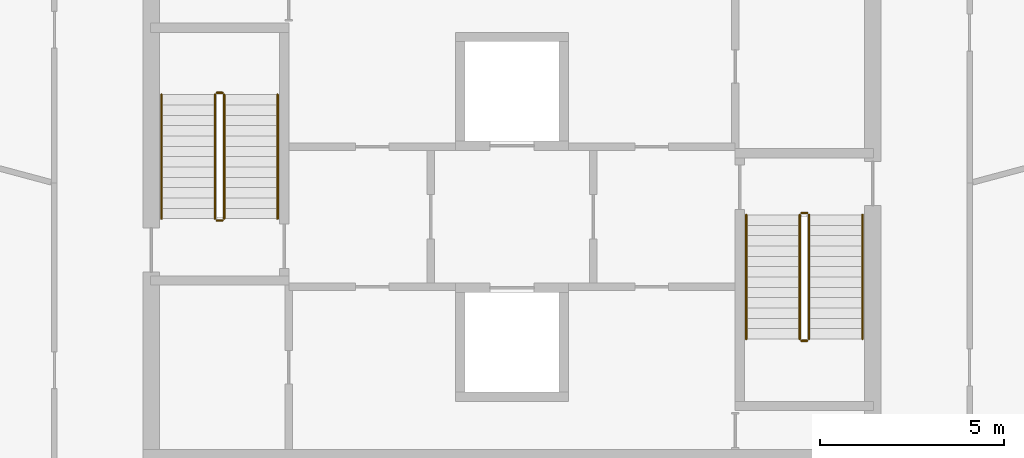
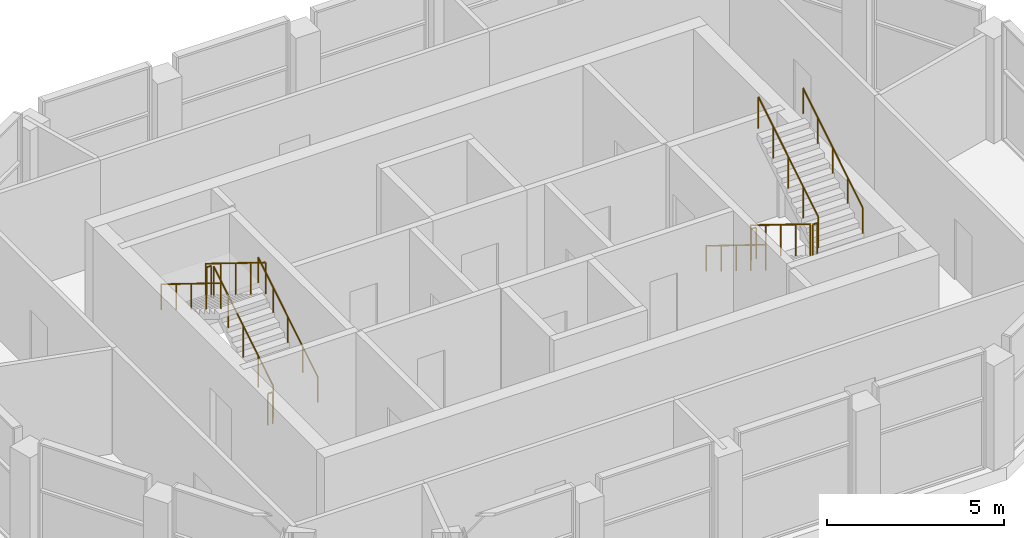
# One storey, part 6 of 6: 12 railings.
"""IFC4 building model written with IfcOpenShell, lengths in metres."""

from ifc_helpers import new_model, si_unit, direction, frame, origin, origin_2d, place, context, subcontext, project, spatial, circle, extrude, material, type_object, element, save


model = new_model("IFC4")

# Units and contexts
model_context = context("Model", 3, precision=1e-05, world=origin(), true_north=direction((0.0, 1.0)))
body_context = subcontext(model_context, "Body", "Model", "MODEL_VIEW")
ifc_project = project(units=[si_unit("LENGTHUNIT", "METRE"), si_unit("AREAUNIT", "SQUARE_METRE"), si_unit("VOLUMEUNIT", "CUBIC_METRE"), si_unit("PLANEANGLEUNIT", "RADIAN"), si_unit("MASSUNIT", "GRAM", prefix="KILO")], contexts=[model_context])

# Site, building, storey
site_placement = place(None, origin())
site = spatial("IfcSite", under=ifc_project, at=site_placement, CompositionType="ELEMENT")
building_placement = place(site_placement, origin())
building = spatial("IfcBuilding", under=site, at=building_placement, Name="Dhurran Vertical Campus", CompositionType="ELEMENT")
storey_placement = place(building_placement, frame((0.0, 0.0, 327.89990234375)))
storey = spatial("IfcBuildingStorey", under=building, at=storey_placement, Name="L80 Plant", CompositionType="ELEMENT", Elevation=327.89990234375)

# Railings
ifc_material_1 = material(Name="Stainless steel balustrade", Category="steel")
railing_type_1 = type_object("IfcRailingType", Name="co-RL-GUARD-1100", PredefinedType="GUARDRAIL", material=ifc_material_1)
railing_1_placement = place(storey_placement, frame((-7.800048828125, -0.050048828125, 0.173095703125)))
element("IfcRailing", 1, at=railing_1_placement, inside=storey, type_object=railing_type_1, Name="L80 Plant ST5 stair guard 1", PredefinedType="GUARDRAIL", context=body_context, shape_type="SweptSolid", body=[
    extrude(circle(Radius=0.02392578125, at=origin_2d()), frame((0.0, 0.0, 1.076171875), z_axis=(0.0, 0.850623216509, 0.525775754039), x_axis=(-1.0, 0.0, 0.0)), (0.0, 0.0, 1.0), 3.9501953125),
    extrude(circle(Radius=0.02099609375, at=origin_2d()), origin(), (0.0, 0.0, 1.0), 1.052001953125),
    extrude(circle(Radius=0.02099609375, at=origin_2d()), frame((0.0, 0.840087890625, 0.519287109375)), (0.0, 0.0, 1.0), 1.052001953125),
    extrude(circle(Radius=0.02099609375, at=origin_2d()), frame((0.0, 1.68017578125, 1.03857421875)), (0.0, 0.0, 1.0), 1.052001953125),
    extrude(circle(Radius=0.02099609375, at=origin_2d()), frame((0.0, 2.52001953125, 1.5576171875)), (0.0, 0.0, 1.0), 1.052001953125),
    extrude(circle(Radius=0.02099609375, at=origin_2d()), frame((0.0, 3.360107421875, 2.076904296875)), (0.0, 0.0, 1.0), 1.052001953125),
])
railing_2_placement = place(storey_placement, frame((-7.85009765625, 3.360107421875, 2.25)))
element("IfcRailing", 2, at=railing_2_placement, inside=storey, type_object=railing_type_1, Name="L80 Plant ST5 stair guard 2", PredefinedType="GUARDRAIL", context=body_context, shape_type="SweptSolid", body=[
    extrude(circle(Radius=0.02392578125, at=origin_2d()), frame((0.0, 0.0, 1.076171875), z_axis=(-1.0, 0.0, 0.0), x_axis=(0.0, -1.0, 0.0)), (0.0, 0.0, 1.0), 0.14990234375),
    extrude(circle(Radius=0.02099609375, at=origin_2d()), origin(), (0.0, 0.0, 1.0), 1.052001953125),
    extrude(circle(Radius=0.02099609375, at=origin_2d()), frame((-0.14990234375, 0.0, 0.0)), (0.0, 0.0, 1.0), 1.052001953125),
])
railing_3_placement = place(storey_placement, frame((-8.050048828125, 3.31005859375, 2.423095703125)))
element("IfcRailing", 3, at=railing_3_placement, inside=storey, type_object=railing_type_1, Name="L80 Plant ST5 stair guard 3", PredefinedType="GUARDRAIL", context=body_context, shape_type="SweptSolid", body=[
    extrude(circle(Radius=0.02392578125, at=origin_2d()), frame((0.0, 0.0, 1.076171875), z_axis=(0.0, -0.850623216509, 0.525775754039), x_axis=(1.0, 0.0, 0.0)), (0.0, 0.0, 1.0), 3.9501953125),
    extrude(circle(Radius=0.02099609375, at=origin_2d()), origin(), (0.0, 0.0, 1.0), 1.052001953125),
    extrude(circle(Radius=0.02099609375, at=origin_2d()), frame((0.0, -0.840087890625, 0.519287109375)), (0.0, 0.0, 1.0), 1.052001953125),
    extrude(circle(Radius=0.02099609375, at=origin_2d()), frame((0.0, -1.68017578125, 1.03857421875)), (0.0, 0.0, 1.0), 1.052001953125),
    extrude(circle(Radius=0.02099609375, at=origin_2d()), frame((0.0, -2.52001953125, 1.5576171875)), (0.0, 0.0, 1.0), 1.052001953125),
    extrude(circle(Radius=0.02099609375, at=origin_2d()), frame((0.0, -3.360107421875, 2.076904296875)), (0.0, 0.0, 1.0), 1.052001953125),
])
railing_4_placement = place(storey_placement, frame((-7.85009765625, -0.10009765625, 0.0)))
element("IfcRailing", 4, at=railing_4_placement, inside=storey, type_object=railing_type_1, Name="L80 Plant ST5 stair guard 4", PredefinedType="GUARDRAIL", context=body_context, shape_type="SweptSolid", body=[
    extrude(circle(Radius=0.02392578125, at=origin_2d()), frame((0.0, 0.0, 1.076171875), z_axis=(-1.0, 0.0, 0.0), x_axis=(0.0, -1.0, 0.0)), (0.0, 0.0, 1.0), 0.14990234375),
    extrude(circle(Radius=0.02099609375, at=origin_2d()), origin(), (0.0, 0.0, 1.0), 1.052001953125),
    extrude(circle(Radius=0.02099609375, at=origin_2d()), frame((-0.14990234375, 0.0, 0.0)), (0.0, 0.0, 1.0), 1.052001953125),
])
railing_5_placement = place(storey_placement, frame((7.800048828125, 0.050048828125, 0.173095703125)))
element("IfcRailing", 5, at=railing_5_placement, inside=storey, type_object=railing_type_1, Name="L80 Plant ST6 stair guard 1", PredefinedType="GUARDRAIL", context=body_context, shape_type="SweptSolid", body=[
    extrude(circle(Radius=0.02392578125, at=origin_2d()), frame((0.0, 0.0, 1.076171875), z_axis=(0.0, -0.850623216509, 0.525775754039), x_axis=(1.0, 0.0, 0.0)), (0.0, 0.0, 1.0), 3.9501953125),
    extrude(circle(Radius=0.02099609375, at=origin_2d()), origin(), (0.0, 0.0, 1.0), 1.052001953125),
    extrude(circle(Radius=0.02099609375, at=origin_2d()), frame((0.0, -0.840087890625, 0.519287109375)), (0.0, 0.0, 1.0), 1.052001953125),
    extrude(circle(Radius=0.02099609375, at=origin_2d()), frame((0.0, -1.68017578125, 1.03857421875)), (0.0, 0.0, 1.0), 1.052001953125),
    extrude(circle(Radius=0.02099609375, at=origin_2d()), frame((0.0, -2.52001953125, 1.5576171875)), (0.0, 0.0, 1.0), 1.052001953125),
    extrude(circle(Radius=0.02099609375, at=origin_2d()), frame((0.0, -3.360107421875, 2.076904296875)), (0.0, 0.0, 1.0), 1.052001953125),
])
railing_6_placement = place(storey_placement, frame((7.85009765625, -3.360107421875, 2.25)))
element("IfcRailing", 6, at=railing_6_placement, inside=storey, type_object=railing_type_1, Name="L80 Plant ST6 stair guard 2", PredefinedType="GUARDRAIL", context=body_context, shape_type="SweptSolid", body=[
    extrude(circle(Radius=0.02392578125, at=origin_2d()), frame((0.0, 0.0, 1.076171875), z_axis=(1.0, 0.0, 0.0), x_axis=(0.0, 1.0, 0.0)), (0.0, 0.0, 1.0), 0.14990234375),
    extrude(circle(Radius=0.02099609375, at=origin_2d()), origin(), (0.0, 0.0, 1.0), 1.052001953125),
    extrude(circle(Radius=0.02099609375, at=origin_2d()), frame((0.14990234375, 0.0, 0.0)), (0.0, 0.0, 1.0), 1.052001953125),
])
railing_7_placement = place(storey_placement, frame((8.050048828125, -3.31005859375, 2.423095703125)))
element("IfcRailing", 7, at=railing_7_placement, inside=storey, type_object=railing_type_1, Name="L80 Plant ST6 stair guard 3", PredefinedType="GUARDRAIL", context=body_context, shape_type="SweptSolid", body=[
    extrude(circle(Radius=0.02392578125, at=origin_2d()), frame((0.0, 0.0, 1.076171875), z_axis=(0.0, 0.850623216509, 0.525775754039), x_axis=(-1.0, 0.0, 0.0)), (0.0, 0.0, 1.0), 3.9501953125),
    extrude(circle(Radius=0.02099609375, at=origin_2d()), origin(), (0.0, 0.0, 1.0), 1.052001953125),
    extrude(circle(Radius=0.02099609375, at=origin_2d()), frame((0.0, 0.840087890625, 0.519287109375)), (0.0, 0.0, 1.0), 1.052001953125),
    extrude(circle(Radius=0.02099609375, at=origin_2d()), frame((0.0, 1.68017578125, 1.03857421875)), (0.0, 0.0, 1.0), 1.052001953125),
    extrude(circle(Radius=0.02099609375, at=origin_2d()), frame((0.0, 2.52001953125, 1.5576171875)), (0.0, 0.0, 1.0), 1.052001953125),
    extrude(circle(Radius=0.02099609375, at=origin_2d()), frame((0.0, 3.360107421875, 2.076904296875)), (0.0, 0.0, 1.0), 1.052001953125),
])
railing_8_placement = place(storey_placement, frame((7.85009765625, 0.10009765625, 0.0)))
element("IfcRailing", 8, at=railing_8_placement, inside=storey, type_object=railing_type_1, Name="L80 Plant ST6 stair guard 4", PredefinedType="GUARDRAIL", context=body_context, shape_type="SweptSolid", body=[
    extrude(circle(Radius=0.02392578125, at=origin_2d()), frame((0.0, 0.0, 1.076171875), z_axis=(1.0, 0.0, 0.0), x_axis=(0.0, 1.0, 0.0)), (0.0, 0.0, 1.0), 0.14990234375),
    extrude(circle(Radius=0.02099609375, at=origin_2d()), origin(), (0.0, 0.0, 1.0), 1.052001953125),
    extrude(circle(Radius=0.02099609375, at=origin_2d()), frame((0.14990234375, 0.0, 0.0)), (0.0, 0.0, 1.0), 1.052001953125),
])
ifc_material_2 = material(Name="Stainless steel handrail", Category="steel")
railing_type_2 = type_object("IfcRailingType", Name="co-RL-HANDRAIL-900", PredefinedType="HANDRAIL", material=ifc_material_2)
railing_9_placement = place(storey_placement, frame((-6.35009765625, -0.050048828125, 0.173095703125)))
element("IfcRailing", 9, at=railing_9_placement, inside=storey, type_object=railing_type_2, Name="L80 Plant ST5 stair handrail 1", PredefinedType="HANDRAIL", context=body_context, shape_type="SweptSolid", body=[
    extrude(circle(Radius=0.02392578125, at=origin_2d()), frame((0.0, 0.0, 0.8759765625), z_axis=(0.0, 0.850623216509, 0.525775754039), x_axis=(-1.0, 0.0, 0.0)), (0.0, 0.0, 1.0), 3.9501953125),
    extrude(circle(Radius=0.02099609375, at=origin_2d()), origin(), (0.0, 0.0, 1.0), 0.851806640625),
    extrude(circle(Radius=0.02099609375, at=origin_2d()), frame((0.0, 0.840087890625, 0.519287109375)), (0.0, 0.0, 1.0), 0.851806640625),
    extrude(circle(Radius=0.02099609375, at=origin_2d()), frame((0.0, 1.68017578125, 1.03857421875)), (0.0, 0.0, 1.0), 0.851806640625),
    extrude(circle(Radius=0.02099609375, at=origin_2d()), frame((0.0, 2.52001953125, 1.5576171875)), (0.0, 0.0, 1.0), 0.851806640625),
    extrude(circle(Radius=0.02099609375, at=origin_2d()), frame((0.0, 3.360107421875, 2.076904296875)), (0.0, 0.0, 1.0), 0.851806640625),
])
for number, where, name in (
    (10, (-9.5, 3.31005859375, 2.423095703125), "L80 Plant ST5 stair handrail 2"),
    (11, (6.35009765625, 0.050048828125, 0.173095703125), "L80 Plant ST6 stair handrail 1"),
):
    element("IfcRailing", number, at=place(storey_placement, frame(where)), inside=storey, type_object=railing_type_2, Name=name, PredefinedType="HANDRAIL", context=body_context, shape_type="SweptSolid", body=[
        extrude(circle(Radius=0.02392578125, at=origin_2d()), frame((0.0, 0.0, 0.8759765625), z_axis=(0.0, -0.850623216509, 0.525775754039), x_axis=(1.0, 0.0, 0.0)), (0.0, 0.0, 1.0), 3.9501953125),
        extrude(circle(Radius=0.02099609375, at=origin_2d()), origin(), (0.0, 0.0, 1.0), 0.851806640625),
        extrude(circle(Radius=0.02099609375, at=origin_2d()), frame((0.0, -0.840087890625, 0.519287109375)), (0.0, 0.0, 1.0), 0.851806640625),
        extrude(circle(Radius=0.02099609375, at=origin_2d()), frame((0.0, -1.68017578125, 1.03857421875)), (0.0, 0.0, 1.0), 0.851806640625),
        extrude(circle(Radius=0.02099609375, at=origin_2d()), frame((0.0, -2.52001953125, 1.5576171875)), (0.0, 0.0, 1.0), 0.851806640625),
        extrude(circle(Radius=0.02099609375, at=origin_2d()), frame((0.0, -3.360107421875, 2.076904296875)), (0.0, 0.0, 1.0), 0.851806640625),
    ])
railing_10_placement = place(storey_placement, frame((9.5, -3.31005859375, 2.423095703125)))
element("IfcRailing", 12, at=railing_10_placement, inside=storey, type_object=railing_type_2, Name="L80 Plant ST6 stair handrail 2", PredefinedType="HANDRAIL", context=body_context, shape_type="SweptSolid", body=[
    extrude(circle(Radius=0.02392578125, at=origin_2d()), frame((0.0, 0.0, 0.8759765625), z_axis=(0.0, 0.850623216509, 0.525775754039), x_axis=(-1.0, 0.0, 0.0)), (0.0, 0.0, 1.0), 3.9501953125),
    extrude(circle(Radius=0.02099609375, at=origin_2d()), origin(), (0.0, 0.0, 1.0), 0.851806640625),
    extrude(circle(Radius=0.02099609375, at=origin_2d()), frame((0.0, 0.840087890625, 0.519287109375)), (0.0, 0.0, 1.0), 0.851806640625),
    extrude(circle(Radius=0.02099609375, at=origin_2d()), frame((0.0, 1.68017578125, 1.03857421875)), (0.0, 0.0, 1.0), 0.851806640625),
    extrude(circle(Radius=0.02099609375, at=origin_2d()), frame((0.0, 2.52001953125, 1.5576171875)), (0.0, 0.0, 1.0), 0.851806640625),
    extrude(circle(Radius=0.02099609375, at=origin_2d()), frame((0.0, 3.360107421875, 2.076904296875)), (0.0, 0.0, 1.0), 0.851806640625),
])

save(model, "model.ifc")
